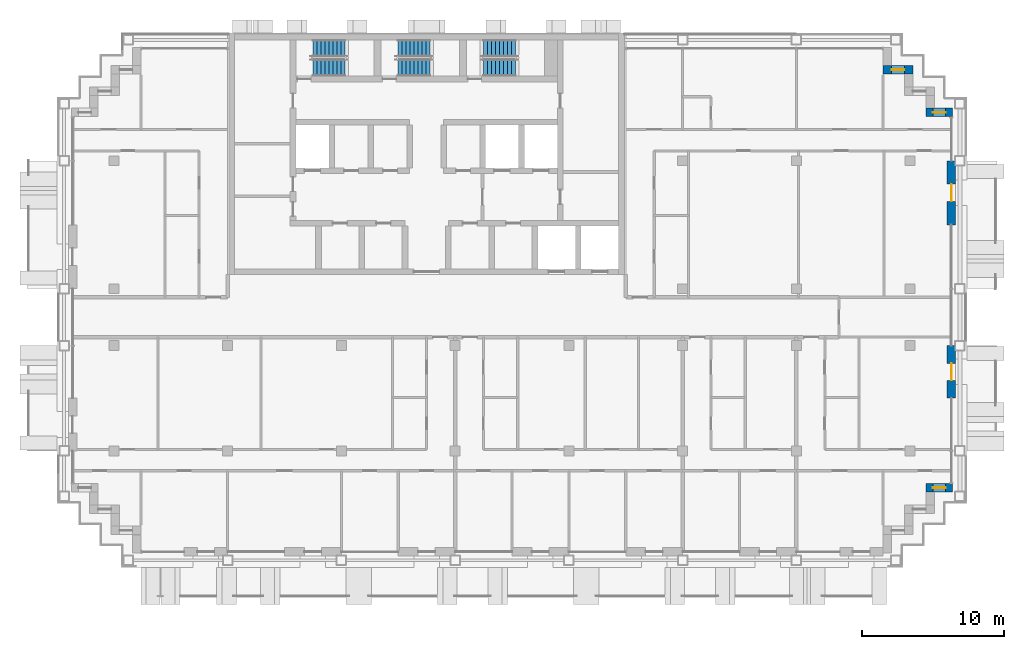
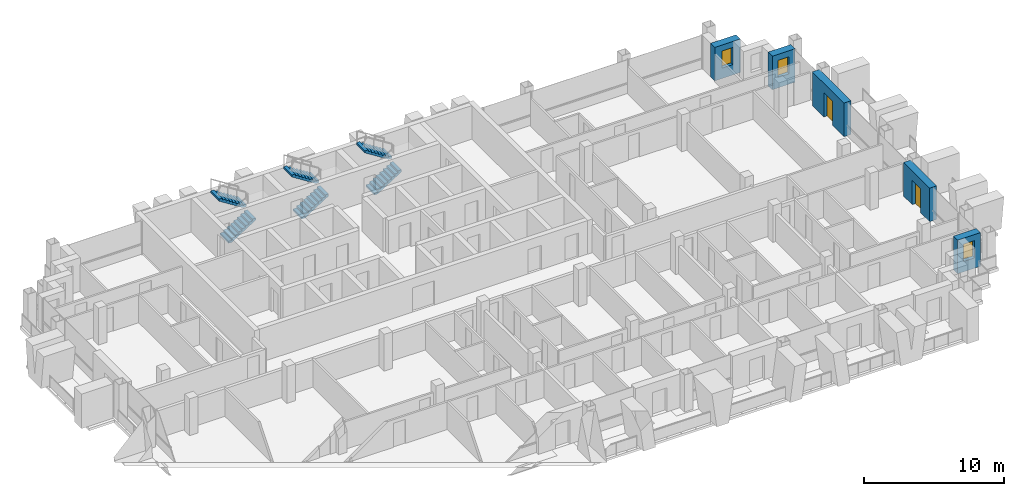
# One storey, part 12 of 16: 6 stair flights, 5 walls, 3 windows, 2 doors, 5 openings, 3 elements without a shape of their own.
"""IFC4 building model written with IfcOpenShell, lengths in metres."""

from ifc_helpers import new_model, si_unit, direction, frame, frame_2d, origin, place, context, subcontext, project, spatial, polyline, rectangle, outline, extrude, material, layer, layer_set, type_object, element, fill, aggregate, save


model = new_model("IFC4")

# Units and contexts
model_context = context("Model", 3, precision=1e-05, world=origin(), true_north=direction((0.0, 1.0)))
body_context = subcontext(model_context, "Body", "Model", "MODEL_VIEW")
ifc_project = project(units=[si_unit("LENGTHUNIT", "METRE"), si_unit("AREAUNIT", "SQUARE_METRE"), si_unit("VOLUMEUNIT", "CUBIC_METRE"), si_unit("PLANEANGLEUNIT", "RADIAN"), si_unit("MASSUNIT", "GRAM", prefix="KILO")], contexts=[model_context])

# Site, building, storey
site_placement = place(None, origin())
site = spatial("IfcSite", under=ifc_project, at=site_placement, CompositionType="ELEMENT")
building_placement = place(site_placement, origin())
building = spatial("IfcBuilding", under=site, at=building_placement, Name="Vidyagriha Tower", CompositionType="ELEMENT")
storey_placement = place(building_placement, frame((0.0, 0.0, 181.300048828125)))
storey = spatial("IfcBuildingStorey", under=building, at=storey_placement, Name="L47", CompositionType="ELEMENT", Elevation=181.300048828125)

# Wall, opening, window
ifc_material_1 = material(Name="Precast concrete C40/50 with brick facing", Category="concrete")
ifc_layer = layer(ifc_material_1, 0.60009765625)
ifc_layer_set = layer_set([ifc_layer], Name="Precast concrete C40/50 with brick facing")
wall_type = type_object("IfcWallType", Name="Brick-faced precast wall 600", PredefinedType="STANDARD", material=ifc_layer_set)
wall_1_placement = place(storey_placement, frame((36.97998046875, 14.39990234375, 0.0), z_axis=(0.0, 0.0, 1.0), x_axis=(-1.0, 0.0, 0.0)))
wall_1 = element("IfcWall", 1, at=wall_1_placement, inside=storey, type_object=wall_type, Name="Stepped corner wall L47 R01", PredefinedType="STANDARD", context=body_context, shape_type="SweptSolid", body=[
    extrude(rectangle(XDim=1.8798828125, YDim=0.60009765625, at=frame_2d((0.93994140625, 0.0))), origin(), (0.0, 0.0, 1.0), 2.919921875),
])
opening_1_placement = place(wall_1_placement, frame((0.489990234375, 0.0, 0.89990234375)))
opening_1 = element("IfcOpeningElement", 2, at=opening_1_placement, cuts=wall_1, Name="Opening WN1", PredefinedType="OPENING", context=body_context, shape_type="SweptSolid", body=[
    extrude(rectangle(XDim=0.89990234375, YDim=1.5, at=frame_2d((0.449951171875, 0.75))), frame((0.0, 0.31005859375, 0.0), z_axis=(0.0, -1.0, 0.0), x_axis=(1.0, 0.0, 0.0)), (0.0, 0.0, 1.0), 0.6201171875),
])
ifc_material_2 = material(Name="Aluminium and glass window", Category="aluminium")
window_type = type_object("IfcWindowType", Name="Reveal window 900x1500", PartitioningType="NOTDEFINED", PredefinedType="WINDOW", material=ifc_material_2)
window_1_placement = place(opening_1_placement, origin())
window_1 = element("IfcWindow", 3, at=window_1_placement, inside=storey, type_object=window_type, Name="Reveal window L47 R01", OverallHeight=1.5, OverallWidth=0.89990234375, PartitioningType="SINGLE_PANEL", PredefinedType="WINDOW", context=body_context, shape_type="SweptSolid", body=[
    extrude(rectangle(XDim=0.89990234375, YDim=1.5, at=frame_2d((0.449951171875, 0.75))), frame((0.0, 0.030029296875, 0.0), z_axis=(0.0, -1.0, 0.0), x_axis=(1.0, 0.0, 0.0)), (0.0, 0.0, 1.0), 0.06005859375),
])
fill(opening_1, window_1)

wall_2_placement = place(storey_placement, frame((34.199951171875, 17.39990234375, 0.0), z_axis=(0.0, 0.0, 1.0), x_axis=(-1.0, 0.0, 0.0)))
wall_2 = element("IfcWall", 4, at=wall_2_placement, inside=storey, type_object=wall_type, Name="Stepped corner wall L47 R05", PredefinedType="STANDARD", context=body_context, shape_type="SweptSolid", body=[
    extrude(rectangle(XDim=2.099853515625, YDim=0.60009765625, at=frame_2d((1.0498046875, 0.0))), origin(), (0.0, 0.0, 1.0), 2.919921875),
])
opening_2_placement = place(wall_2_placement, frame((0.60009765625, 0.0, 0.89990234375)))
opening_2 = element("IfcOpeningElement", 5, at=opening_2_placement, cuts=wall_2, Name="Opening WN1", PredefinedType="OPENING", context=body_context, shape_type="SweptSolid", body=[
    extrude(rectangle(XDim=0.89990234375, YDim=1.5, at=frame_2d((0.449951171875, 0.75))), frame((0.0, 0.31005859375, 0.0), z_axis=(0.0, -1.0, 0.0), x_axis=(1.0, 0.0, 0.0)), (0.0, 0.0, 1.0), 0.6201171875),
])
window_2_placement = place(opening_2_placement, origin())
window_2 = element("IfcWindow", 6, at=window_2_placement, inside=storey, type_object=window_type, Name="Reveal window L47 R05", OverallHeight=1.5, OverallWidth=0.89990234375, PartitioningType="SINGLE_PANEL", PredefinedType="WINDOW", context=body_context, shape_type="SweptSolid", body=[
    extrude(rectangle(XDim=0.89990234375, YDim=1.5, at=frame_2d((0.449951171875, 0.75))), frame((0.0, 0.030029296875, 0.0), z_axis=(0.0, -1.0, 0.0), x_axis=(1.0, 0.0, 0.0)), (0.0, 0.0, 1.0), 0.06005859375),
])
fill(opening_2, window_2)

wall_3_placement = place(storey_placement, frame((35.10009765625, -12.0, 0.0)))
wall_3 = element("IfcWall", 7, at=wall_3_placement, inside=storey, type_object=wall_type, Name="Stepped corner wall L47 R29", PredefinedType="STANDARD", context=body_context, shape_type="SweptSolid", body=[
    extrude(rectangle(XDim=1.8798828125, YDim=0.60009765625, at=frame_2d((0.93994140625, 0.0))), origin(), (0.0, 0.0, 1.0), 2.919921875),
])
opening_3_placement = place(wall_3_placement, frame((0.489990234375, 0.0, 0.89990234375)))
opening_3 = element("IfcOpeningElement", 8, at=opening_3_placement, cuts=wall_3, Name="Opening WN1", PredefinedType="OPENING", context=body_context, shape_type="SweptSolid", body=[
    extrude(rectangle(XDim=0.89990234375, YDim=1.5, at=frame_2d((0.449951171875, 0.75))), frame((0.0, 0.31005859375, 0.0), z_axis=(0.0, -1.0, 0.0), x_axis=(1.0, 0.0, 0.0)), (0.0, 0.0, 1.0), 0.6201171875),
])
window_3_placement = place(opening_3_placement, origin())
window_3 = element("IfcWindow", 9, at=window_3_placement, inside=storey, type_object=window_type, Name="Reveal window L47 R29", OverallHeight=1.5, OverallWidth=0.89990234375, PartitioningType="SINGLE_PANEL", PredefinedType="WINDOW", context=body_context, shape_type="SweptSolid", body=[
    extrude(rectangle(XDim=0.89990234375, YDim=1.5, at=frame_2d((0.449951171875, 0.75))), frame((0.0, 0.030029296875, 0.0), z_axis=(0.0, -1.0, 0.0), x_axis=(1.0, 0.0, 0.0)), (0.0, 0.0, 1.0), 0.06005859375),
])
fill(opening_3, window_3)

# Wall, opening, door
wall_4_placement = place(storey_placement, frame((36.89990234375, -5.699951171875, 0.0), z_axis=(0.0, 0.0, 1.0), x_axis=(0.0, 1.0, 0.0)))
wall_4 = element("IfcWall", 10, at=wall_4_placement, inside=storey, type_object=wall_type, Name="Brick door bay wall L47 R30.3", PredefinedType="STANDARD", context=body_context, shape_type="SweptSolid", body=[
    extrude(rectangle(XDim=3.699951171875, YDim=0.60009765625, at=frame_2d((1.85009765625, 0.0))), origin(), (0.0, 0.0, 1.0), 2.919921875),
])
opening_4_placement = place(wall_4_placement, frame((1.25, 0.0, 0.0)))
opening_4 = element("IfcOpeningElement", 11, at=opening_4_placement, cuts=wall_4, Name="Opening D47-78", PredefinedType="OPENING", context=body_context, shape_type="SweptSolid", body=[
    extrude(rectangle(XDim=1.199951171875, YDim=2.10009765625, at=frame_2d((0.60009765625, 1.050048828125))), frame((0.0, 0.31005859375, 0.0), z_axis=(0.0, -1.0, 0.0), x_axis=(1.0, 0.0, 0.0)), (0.0, 0.0, 1.0), 0.6201171875),
])
ifc_material_3 = material(Name="Aluminium framed glazed sliding door", Category="aluminium")
door_type = type_object("IfcDoorType", Name="Balcony sliding door 1200x2100", OperationType="NOTDEFINED", PredefinedType="DOOR", material=ifc_material_3)
door_1_placement = place(opening_4_placement, origin())
door_1 = element("IfcDoor", 12, at=door_1_placement, inside=storey, type_object=door_type, Name="Door D47-78", OperationType="SLIDING_TO_LEFT", OverallHeight=2.10009765625, OverallWidth=1.199951171875, PredefinedType="DOOR", context=body_context, shape_type="SweptSolid", body=[
    extrude(rectangle(XDim=1.199951171875, YDim=2.10009765625, at=frame_2d((0.60009765625, 1.050048828125))), frame((0.0, 0.02490234375, 0.0), z_axis=(0.0, -1.0, 0.0), x_axis=(1.0, 0.0, 0.0)), (0.0, 0.0, 1.0), 0.050048828125),
])
fill(opening_4, door_1)

wall_5_placement = place(storey_placement, frame((36.89990234375, 6.5, 0.0), z_axis=(0.0, 0.0, 1.0), x_axis=(0.0, 1.0, 0.0)))
wall_5 = element("IfcWall", 13, at=wall_5_placement, inside=storey, type_object=wall_type, Name="Brick door bay wall L47 R30.6", PredefinedType="STANDARD", context=body_context, shape_type="SweptSolid", body=[
    extrude(rectangle(XDim=4.5, YDim=0.60009765625, at=frame_2d((2.25, 0.0))), origin(), (0.0, 0.0, 1.0), 2.919921875),
])
opening_5_placement = place(wall_5_placement, frame((1.64990234375, 0.0, 0.0)))
opening_5 = element("IfcOpeningElement", 14, at=opening_5_placement, cuts=wall_5, Name="Opening D47-79", PredefinedType="OPENING", context=body_context, shape_type="SweptSolid", body=[
    extrude(rectangle(XDim=1.199951171875, YDim=2.10009765625, at=frame_2d((0.60009765625, 1.050048828125))), frame((0.0, 0.31005859375, 0.0), z_axis=(0.0, -1.0, 0.0), x_axis=(1.0, 0.0, 0.0)), (0.0, 0.0, 1.0), 0.6201171875),
])
door_2_placement = place(opening_5_placement, origin())
door_2 = element("IfcDoor", 15, at=door_2_placement, inside=storey, type_object=door_type, Name="Door D47-79", OperationType="SLIDING_TO_LEFT", OverallHeight=2.10009765625, OverallWidth=1.199951171875, PredefinedType="DOOR", context=body_context, shape_type="SweptSolid", body=[
    extrude(rectangle(XDim=1.199951171875, YDim=2.10009765625, at=frame_2d((0.60009765625, 1.050048828125))), frame((0.0, 0.02490234375, 0.0), z_axis=(0.0, -1.0, 0.0), x_axis=(1.0, 0.0, 0.0)), (0.0, 0.0, 1.0), 0.050048828125),
])
fill(opening_5, door_2)

# Stair, stair flights
ifc_material_4 = material(Name="Concrete C40/50", Category="concrete")
stair_type = type_object("IfcStairType", Name="Exit stair, half-turn, precast flights", PredefinedType="HALF_TURN_STAIR", material=ifc_material_4)
stair_1_placement = place(storey_placement, origin())
stair_1 = element("IfcStair", 16, at=stair_1_placement, inside=storey, type_object=stair_type, Name="L47 Exit Stair ST1", PredefinedType="HALF_TURN_STAIR")
ifc_material_5 = material(Name="Precast concrete C40/50", Category="concrete")
stair_flight_type = type_object("IfcStairFlightType", Name="Exit stair flight 1200 mm, precast", PredefinedType="STRAIGHT", material=ifc_material_5)
stair_flight_1_placement = place(storey_placement, frame((-8.0, 17.550048828125, 0.0)))
stair_flight_1 = element("IfcStairFlight", 17, at=stair_flight_1_placement, type_object=stair_flight_type, Name="ST1 flight 1", NumberOfRisers=9, NumberOfTreads=8, PredefinedType="STRAIGHT", RiserHeight=0.177777778, TreadLength=0.28, context=body_context, shape_type="SweptSolid", body=[
    extrude(outline(polyline([(0.0, 0.0), (0.0, 0.177734375), (0.280029296875, 0.177734375), (0.280029296875, 0.35546875), (0.56005859375, 0.35546875), (0.56005859375, 0.533447265625), (0.840087890625, 0.533447265625), (0.840087890625, 0.711181640625), (1.1201171875, 0.711181640625), (1.1201171875, 0.888916015625), (1.39990234375, 0.888916015625), (1.39990234375, 1.066650390625), (1.679931640625, 1.066650390625), (1.679931640625, 1.244384765625), (1.9599609375, 1.244384765625), (1.9599609375, 1.422119140625), (2.239990234375, 1.422119140625), (2.239990234375, 1.60009765625), (2.239990234375, 1.24462890625), (0.27978515625, 0.0), (0.0, 0.0)])), frame((0.0, 0.60009765625, 0.0), z_axis=(0.0, -1.0, 0.0), x_axis=(1.0, 0.0, 0.0)), (0.0, 0.0, 1.0), 1.199951171875),
])
stair_flight_2_placement = place(storey_placement, frame((-5.760009765625, 18.89990234375, 1.599853515625), z_axis=(0.0, 0.0, 1.0), x_axis=(-1.0, 0.0, 0.0)))
stair_flight_2 = element("IfcStairFlight", 18, at=stair_flight_2_placement, type_object=stair_flight_type, Name="ST1 flight 2", NumberOfRisers=9, NumberOfTreads=8, PredefinedType="STRAIGHT", RiserHeight=0.177777778, TreadLength=0.28, context=body_context, shape_type="SweptSolid", body=[
    extrude(outline(polyline([(0.0, 0.0), (0.0, 0.177734375), (0.280029296875, 0.177734375), (0.280029296875, 0.35546875), (0.56005859375, 0.35546875), (0.56005859375, 0.533447265625), (0.840087890625, 0.533447265625), (0.840087890625, 0.711181640625), (1.1201171875, 0.711181640625), (1.1201171875, 0.888916015625), (1.39990234375, 0.888916015625), (1.39990234375, 1.066650390625), (1.679931640625, 1.066650390625), (1.679931640625, 1.244384765625), (1.9599609375, 1.244384765625), (1.9599609375, 1.422119140625), (2.239990234375, 1.422119140625), (2.239990234375, 1.60009765625), (2.239990234375, 1.24462890625), (0.27978515625, 0.0), (0.0, 0.0)])), frame((0.0, 0.60009765625, 0.0), z_axis=(0.0, -1.0, 0.0), x_axis=(1.0, 0.0, 0.0)), (0.0, 0.0, 1.0), 1.199951171875),
])
aggregate(stair_1, [stair_flight_1, stair_flight_2])

stair_2_placement = place(storey_placement, origin())
stair_2 = element("IfcStair", 19, at=stair_2_placement, inside=storey, type_object=stair_type, Name="L47 Exit Stair ST2", PredefinedType="HALF_TURN_STAIR")
stair_flight_3_placement = place(storey_placement, frame((-2.0, 17.550048828125, 0.0)))
stair_flight_3 = element("IfcStairFlight", 20, at=stair_flight_3_placement, type_object=stair_flight_type, Name="ST2 flight 1", NumberOfRisers=9, NumberOfTreads=8, PredefinedType="STRAIGHT", RiserHeight=0.177777778, TreadLength=0.28, context=body_context, shape_type="SweptSolid", body=[
    extrude(outline(polyline([(0.0, 0.0), (0.0, 0.177734375), (0.280029296875, 0.177734375), (0.280029296875, 0.35546875), (0.56005859375, 0.35546875), (0.56005859375, 0.533447265625), (0.840087890625, 0.533447265625), (0.840087890625, 0.711181640625), (1.1201171875, 0.711181640625), (1.1201171875, 0.888916015625), (1.39990234375, 0.888916015625), (1.39990234375, 1.066650390625), (1.679931640625, 1.066650390625), (1.679931640625, 1.244384765625), (1.9599609375, 1.244384765625), (1.9599609375, 1.422119140625), (2.239990234375, 1.422119140625), (2.239990234375, 1.60009765625), (2.239990234375, 1.24462890625), (0.27978515625, 0.0), (0.0, 0.0)])), frame((0.0, 0.60009765625, 0.0), z_axis=(0.0, -1.0, 0.0), x_axis=(1.0, 0.0, 0.0)), (0.0, 0.0, 1.0), 1.199951171875),
])
stair_flight_4_placement = place(storey_placement, frame((0.239990234375, 18.89990234375, 1.599853515625), z_axis=(0.0, 0.0, 1.0), x_axis=(-1.0, 0.0, 0.0)))
stair_flight_4 = element("IfcStairFlight", 21, at=stair_flight_4_placement, type_object=stair_flight_type, Name="ST2 flight 2", NumberOfRisers=9, NumberOfTreads=8, PredefinedType="STRAIGHT", RiserHeight=0.177777778, TreadLength=0.28, context=body_context, shape_type="SweptSolid", body=[
    extrude(outline(polyline([(0.0, 0.0), (0.0, 0.177734375), (0.280029296875, 0.177734375), (0.280029296875, 0.35546875), (0.56005859375, 0.35546875), (0.56005859375, 0.533447265625), (0.840087890625, 0.533447265625), (0.840087890625, 0.711181640625), (1.1201171875, 0.711181640625), (1.1201171875, 0.888916015625), (1.39990234375, 0.888916015625), (1.39990234375, 1.066650390625), (1.679931640625, 1.066650390625), (1.679931640625, 1.244384765625), (1.9599609375, 1.244384765625), (1.9599609375, 1.422119140625), (2.239990234375, 1.422119140625), (2.239990234375, 1.60009765625), (2.239990234375, 1.24462890625), (0.27978515625, 0.0), (0.0, 0.0)])), frame((0.0, 0.60009765625, 0.0), z_axis=(0.0, -1.0, 0.0), x_axis=(1.0, 0.0, 0.0)), (0.0, 0.0, 1.0), 1.199951171875),
])
aggregate(stair_2, [stair_flight_3, stair_flight_4])

stair_3_placement = place(storey_placement, origin())
stair_3 = element("IfcStair", 22, at=stair_3_placement, inside=storey, type_object=stair_type, Name="L47 Exit Stair ST3", PredefinedType="HALF_TURN_STAIR")
stair_flight_5_placement = place(storey_placement, frame((4.0, 17.550048828125, 0.0)))
stair_flight_5 = element("IfcStairFlight", 23, at=stair_flight_5_placement, type_object=stair_flight_type, Name="ST3 flight 1", NumberOfRisers=9, NumberOfTreads=8, PredefinedType="STRAIGHT", RiserHeight=0.177777778, TreadLength=0.28, context=body_context, shape_type="SweptSolid", body=[
    extrude(outline(polyline([(0.0, 0.0), (0.0, 0.177734375), (0.280029296875, 0.177734375), (0.280029296875, 0.35546875), (0.56005859375, 0.35546875), (0.56005859375, 0.533447265625), (0.840087890625, 0.533447265625), (0.840087890625, 0.711181640625), (1.1201171875, 0.711181640625), (1.1201171875, 0.888916015625), (1.39990234375, 0.888916015625), (1.39990234375, 1.066650390625), (1.679931640625, 1.066650390625), (1.679931640625, 1.244384765625), (1.9599609375, 1.244384765625), (1.9599609375, 1.422119140625), (2.239990234375, 1.422119140625), (2.239990234375, 1.60009765625), (2.239990234375, 1.24462890625), (0.27978515625, 0.0), (0.0, 0.0)])), frame((0.0, 0.60009765625, 0.0), z_axis=(0.0, -1.0, 0.0), x_axis=(1.0, 0.0, 0.0)), (0.0, 0.0, 1.0), 1.199951171875),
])
stair_flight_6_placement = place(storey_placement, frame((6.239990234375, 18.89990234375, 1.599853515625), z_axis=(0.0, 0.0, 1.0), x_axis=(-1.0, 0.0, 0.0)))
stair_flight_6 = element("IfcStairFlight", 24, at=stair_flight_6_placement, type_object=stair_flight_type, Name="ST3 flight 2", NumberOfRisers=9, NumberOfTreads=8, PredefinedType="STRAIGHT", RiserHeight=0.177777778, TreadLength=0.28, context=body_context, shape_type="SweptSolid", body=[
    extrude(outline(polyline([(0.0, 0.0), (0.0, 0.177734375), (0.280029296875, 0.177734375), (0.280029296875, 0.35546875), (0.56005859375, 0.35546875), (0.56005859375, 0.533447265625), (0.840087890625, 0.533447265625), (0.840087890625, 0.711181640625), (1.1201171875, 0.711181640625), (1.1201171875, 0.888916015625), (1.39990234375, 0.888916015625), (1.39990234375, 1.066650390625), (1.679931640625, 1.066650390625), (1.679931640625, 1.244384765625), (1.9599609375, 1.244384765625), (1.9599609375, 1.422119140625), (2.239990234375, 1.422119140625), (2.239990234375, 1.60009765625), (2.239990234375, 1.24462890625), (0.27978515625, 0.0), (0.0, 0.0)])), frame((0.0, 0.60009765625, 0.0), z_axis=(0.0, -1.0, 0.0), x_axis=(1.0, 0.0, 0.0)), (0.0, 0.0, 1.0), 1.199951171875),
])
aggregate(stair_3, [stair_flight_5, stair_flight_6])

save(model, "model.ifc")
